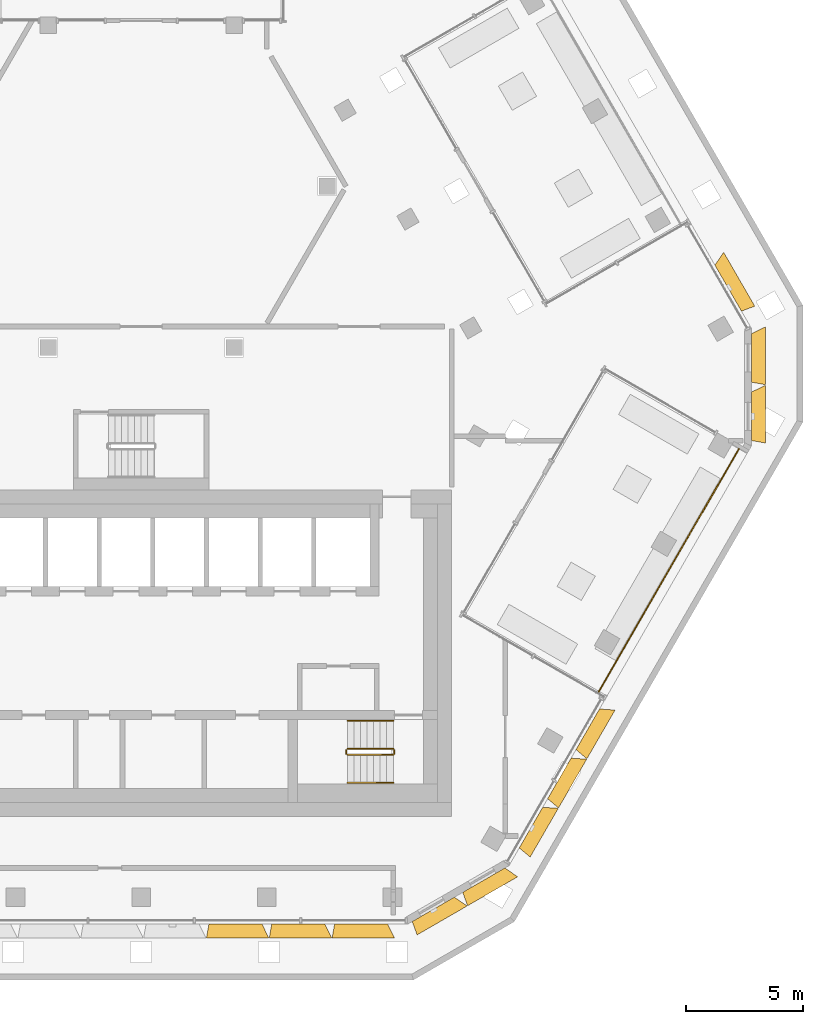
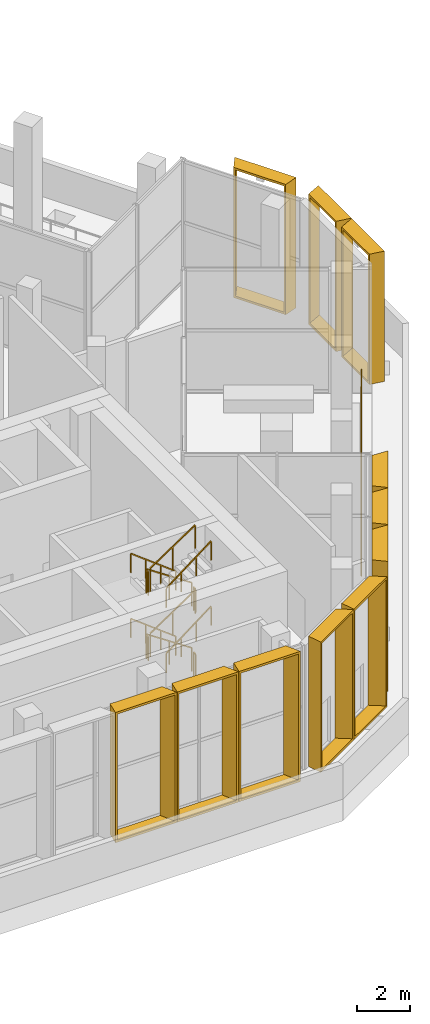
# One storey, part 21 of 23: 13 railings, 11 shading devices.
"""IFC4 building model written with IfcOpenShell, lengths in metres."""

from ifc_helpers import new_model, entity, si_unit, direction, frame, origin, origin_2d, place, context, subcontext, project, spatial, rectangle, extrude, source, transform, mapped, material, type_object, type_shapes, element, save


model = new_model("IFC4")

# Units and contexts
model_context = context("Model", 3, precision=1e-05, world=origin(), true_north=direction((0.0, 1.0)))
body_context = subcontext(model_context, "Body", "Model", "MODEL_VIEW")
ifc_project = project(units=[si_unit("LENGTHUNIT", "METRE"), si_unit("AREAUNIT", "SQUARE_METRE"), si_unit("VOLUMEUNIT", "CUBIC_METRE"), si_unit("PLANEANGLEUNIT", "RADIAN"), si_unit("MASSUNIT", "GRAM", prefix="KILO")], contexts=[model_context])

# Site, building, storey
site_placement = place(None, origin())
site = spatial("IfcSite", under=ifc_project, at=site_placement, CompositionType="ELEMENT")
building_placement = place(site_placement, origin())
building = spatial("IfcBuilding", under=site, at=building_placement, Name="Beryl Residences", CompositionType="ELEMENT")
storey_placement = place(building_placement, frame((0.0, 0.0, 157.199951171875)))
storey = spatial("IfcBuildingStorey", under=building, at=storey_placement, Name="L48", CompositionType="ELEMENT", Elevation=157.199951171875)

# Shading devices
ifc_material_1 = material(Name="Aluminium pale anodised", Category="aluminium")
shading_device_type_1 = type_object("IfcShadingDeviceType", Name="FR243-60C-H60 OUTER SKIN frame 600 mm deep, splay 10/26 deg, 2430 x 6000 mm cell", PredefinedType="USERDEFINED", material=ifc_material_1)
cartesian_point_1 = entity("IfcCartesianPoint", [-1.005615234375, 0.0])
cartesian_point_2 = entity("IfcCartesianPoint", [-0.92431640625, 0.10009765625])
cartesian_point_3 = entity("IfcCartesianPoint", [-1.111328125, 0.0])
cartesian_point_4 = entity("IfcCartesianPoint", [-1.030029296875, 0.10009765625])
shared_shape_1 = source(origin(), body_context, "Body", "SweptSolid", [
    entity("IfcExtrudedAreaSolidTapered", entity("IfcArbitraryProfileDefWithVoids", "AREA", None, entity("IfcPolyline", [cartesian_point_1, entity("IfcCartesianPoint", [1.005615234375, 0.0]), entity("IfcCartesianPoint", [1.005615234375, 6.0]), entity("IfcCartesianPoint", [-1.005615234375, 6.0]), cartesian_point_1]), [entity("IfcPolyline", [cartesian_point_2, entity("IfcCartesianPoint", [0.91650390625, 0.10009765625]), entity("IfcCartesianPoint", [0.91650390625, 5.89990234375]), entity("IfcCartesianPoint", [-0.92431640625, 5.89990234375]), cartesian_point_2])]), entity("IfcAxis2Placement3D", entity("IfcCartesianPoint", [0.0, 0.0, 0.0]), entity("IfcDirection", [0.0, 1.0, 0.0]), entity("IfcDirection", [-1.0, 0.0, 0.0])), entity("IfcDirection", [0.0, 0.0, 1.0]), 0.60009765625, entity("IfcArbitraryProfileDefWithVoids", "AREA", None, entity("IfcPolyline", [cartesian_point_3, entity("IfcCartesianPoint", [1.298095703125, 0.0]), entity("IfcCartesianPoint", [1.298095703125, 6.0]), entity("IfcCartesianPoint", [-1.111328125, 6.0]), cartesian_point_3]), [entity("IfcPolyline", [cartesian_point_4, entity("IfcCartesianPoint", [1.209228515625, 0.10009765625]), entity("IfcCartesianPoint", [1.209228515625, 5.89990234375]), entity("IfcCartesianPoint", [-1.030029296875, 5.89990234375]), cartesian_point_4])])),
])
type_shapes(shading_device_type_1, [shared_shape_1])
for number, where, z_axis, x_axis, name in (
    (1, (16.700927734375, -19.471923828125, 0.0), (0.0, 0.0, 1.0), (-0.5, -0.866025403784, 0.0), "FR243-60C-H60 frame L48 SE 1"),
    (2, (17.9169921875, -17.365966796875, 0.0), (0.0, 0.0, 1.0), (-0.5, -0.866025403784, 0.0), "FR243-60C-H60 frame L48 SE 2"),
    (3, (19.133056640625, -15.260009765625, 0.0), (0.0, 0.0, 1.0), (-0.5, -0.866025403784, 0.0), "FR243-60C-H60 frame L48 SE 3"),
):
    element("IfcShadingDevice", number, at=place(storey_placement, frame(where, z_axis=z_axis, x_axis=x_axis)), inside=storey, type_object=shading_device_type_1, Name=name, ObjectType="OUTER SKIN", PredefinedType="USERDEFINED", context=body_context, shape_type="MappedRepresentation", body=[
        mapped(shared_shape_1, transform((0.0, 0.0, 0.0))),
    ])
ifc_material_2 = material(Name="Aluminium pale anodised", Category="aluminium")
shading_device_type_2 = type_object("IfcShadingDeviceType", Name="FR250-60C-H60 OUTER SKIN frame 600 mm deep, splay 10/26 deg, 2500 x 6000 mm cell", PredefinedType="USERDEFINED", material=ifc_material_2)
cartesian_point_5 = entity("IfcCartesianPoint", [-1.04052734375, 0.0])
cartesian_point_6 = entity("IfcCartesianPoint", [-0.959228515625, 0.10009765625])
cartesian_point_7 = entity("IfcCartesianPoint", [-1.146240234375, 0.0])
cartesian_point_8 = entity("IfcCartesianPoint", [-1.06494140625, 0.10009765625])
shared_shape_2 = source(origin(), body_context, "Body", "SweptSolid", [
    entity("IfcExtrudedAreaSolidTapered", entity("IfcArbitraryProfileDefWithVoids", "AREA", None, entity("IfcPolyline", [cartesian_point_5, entity("IfcCartesianPoint", [1.04052734375, 0.0]), entity("IfcCartesianPoint", [1.04052734375, 6.0]), entity("IfcCartesianPoint", [-1.04052734375, 6.0]), cartesian_point_5]), [entity("IfcPolyline", [cartesian_point_6, entity("IfcCartesianPoint", [0.951416015625, 0.10009765625]), entity("IfcCartesianPoint", [0.951416015625, 5.89990234375]), entity("IfcCartesianPoint", [-0.959228515625, 5.89990234375]), cartesian_point_6])]), entity("IfcAxis2Placement3D", entity("IfcCartesianPoint", [0.0, 0.0, 0.0]), entity("IfcDirection", [0.0, 1.0, 0.0]), entity("IfcDirection", [-1.0, 0.0, 0.0])), entity("IfcDirection", [0.0, 0.0, 1.0]), 0.60009765625, entity("IfcArbitraryProfileDefWithVoids", "AREA", None, entity("IfcPolyline", [cartesian_point_7, entity("IfcCartesianPoint", [1.333251953125, 0.0]), entity("IfcCartesianPoint", [1.333251953125, 6.0]), entity("IfcCartesianPoint", [-1.146240234375, 6.0]), cartesian_point_7]), [entity("IfcPolyline", [cartesian_point_8, entity("IfcCartesianPoint", [1.244140625, 0.10009765625]), entity("IfcCartesianPoint", [1.244140625, 5.89990234375]), entity("IfcCartesianPoint", [-1.06494140625, 5.89990234375]), cartesian_point_8])])),
])
type_shapes(shading_device_type_2, [shared_shape_2])
for number, where, z_axis, x_axis, name in (
    (4, (12.513916015625, -22.97509765625, 0.0), (0.0, 0.0, 1.0), (-0.866025403784, -0.5, 0.0), "FR250-60C-H60 frame L48 S-SE 1"),
    (5, (14.677978515625, -21.72509765625, 0.0), (0.0, 0.0, 1.0), (-0.866025403784, -0.5, 0.0), "FR250-60C-H60 frame L48 S-SE 2"),
    (6, (26.154052734375, -1.85009765625, 0.0), (0.0, 0.0, 1.0), (0.0, -1.0, 0.0), "FR250-60C-H60 frame L48 SE-NE 1"),
    (7, (26.154052734375, 0.64990234375, 0.0), (0.0, 0.0, 1.0), (0.0, -1.0, 0.0), "FR250-60C-H60 frame L48 SE-NE 2"),
):
    element("IfcShadingDevice", number, at=place(storey_placement, frame(where, z_axis=z_axis, x_axis=x_axis)), inside=storey, type_object=shading_device_type_2, Name=name, ObjectType="OUTER SKIN", PredefinedType="USERDEFINED", context=body_context, shape_type="MappedRepresentation", body=[
        mapped(shared_shape_2, transform((0.0, 0.0, 0.0))),
    ])
ifc_material_3 = material(Name="Aluminium pale anodised", Category="aluminium")
shading_device_type_3 = type_object("IfcShadingDeviceType", Name="FR269-60C-H60 OUTER SKIN frame 600 mm deep, splay 10/26 deg, 2690 x 6000 mm cell", PredefinedType="USERDEFINED", material=ifc_material_3)
cartesian_point_9 = entity("IfcCartesianPoint", [-1.135498046875, 0.0])
cartesian_point_10 = entity("IfcCartesianPoint", [-1.05419921875, 0.10009765625])
cartesian_point_11 = entity("IfcCartesianPoint", [-1.2412109375, 0.0])
cartesian_point_12 = entity("IfcCartesianPoint", [-1.16015625, 0.10009765625])
shared_shape_3 = source(origin(), body_context, "Body", "SweptSolid", [
    entity("IfcExtrudedAreaSolidTapered", entity("IfcArbitraryProfileDefWithVoids", "AREA", None, entity("IfcPolyline", [cartesian_point_9, entity("IfcCartesianPoint", [1.135498046875, 0.0]), entity("IfcCartesianPoint", [1.135498046875, 6.0]), entity("IfcCartesianPoint", [-1.135498046875, 6.0]), cartesian_point_9]), [entity("IfcPolyline", [cartesian_point_10, entity("IfcCartesianPoint", [1.04638671875, 0.10009765625]), entity("IfcCartesianPoint", [1.04638671875, 5.89990234375]), entity("IfcCartesianPoint", [-1.05419921875, 5.89990234375]), cartesian_point_10])]), entity("IfcAxis2Placement3D", entity("IfcCartesianPoint", [0.0, 0.0, 0.0]), entity("IfcDirection", [0.0, 1.0, 0.0]), entity("IfcDirection", [-1.0, 0.0, 0.0])), entity("IfcDirection", [0.0, 0.0, 1.0]), 0.60009765625, entity("IfcArbitraryProfileDefWithVoids", "AREA", None, entity("IfcPolyline", [cartesian_point_11, entity("IfcCartesianPoint", [1.42822265625, 0.0]), entity("IfcCartesianPoint", [1.42822265625, 6.0]), entity("IfcCartesianPoint", [-1.2412109375, 6.0]), cartesian_point_11]), [entity("IfcPolyline", [cartesian_point_12, entity("IfcCartesianPoint", [1.339111328125, 0.10009765625]), entity("IfcCartesianPoint", [1.339111328125, 5.89990234375]), entity("IfcCartesianPoint", [-1.16015625, 5.89990234375]), cartesian_point_12])])),
])
type_shapes(shading_device_type_3, [shared_shape_3])
for number, where, z_axis, x_axis, name in (
    (8, (4.0390625, -23.60009765625, 0.0), (0.0, 0.0, 1.0), (-1.0, 0.0, 0.0), "FR269-60C-H60 frame L48 S 6"),
    (9, (6.73095703125, -23.60009765625, 0.0), (0.0, 0.0, 1.0), (-1.0, 0.0, 0.0), "FR269-60C-H60 frame L48 S 7"),
    (10, (9.423095703125, -23.60009765625, 0.0), (0.0, 0.0, 1.0), (-1.0, 0.0, 0.0), "FR269-60C-H60 frame L48 S 8"),
    (11, (25.14892578125, 3.639892578125, 0.0), (0.0, 0.0, 1.0), (0.5, -0.866025403784, 0.0), "FR269-60C-H60 frame L48 NE 1"),
):
    element("IfcShadingDevice", number, at=place(storey_placement, frame(where, z_axis=z_axis, x_axis=x_axis)), inside=storey, type_object=shading_device_type_3, Name=name, ObjectType="OUTER SKIN", PredefinedType="USERDEFINED", context=body_context, shape_type="MappedRepresentation", body=[
        mapped(shared_shape_3, transform((0.0, 0.0, 0.0))),
    ])

# Railings
ifc_material_4 = material(Name="Stainless steel balustrade with glass infill", Category="steel")
railing_type_1 = type_object("IfcRailingType", Name="SG1 stair guard 1100 mm", PredefinedType="GUARDRAIL", material=ifc_material_4)
railing_1_placement = place(storey_placement, frame((10.800048828125, -16.10009765625, 0.1875)))
element("IfcRailing", 12, at=railing_1_placement, inside=storey, type_object=railing_type_1, Name="L48 ST-3 stair guard 1", PredefinedType="GUARDRAIL", context=body_context, shape_type="SweptSolid", body=[
    extrude(rectangle(XDim=0.048095703125, YDim=0.048095703125, at=origin_2d()), frame((0.0, 0.0, 1.076171875), z_axis=(-0.830902050051, 0.0, 0.556418712142), x_axis=(0.0, -1.0, 0.0)), (0.0, 0.0, 1.0), 2.35888671875),
    extrude(rectangle(XDim=0.0419921875, YDim=0.0419921875, at=origin_2d()), origin(), (0.0, 0.0, 1.0), 1.052001953125),
    extrude(rectangle(XDim=0.0419921875, YDim=0.0419921875, at=origin_2d()), frame((-0.97998046875, 0.0, 0.65625)), (0.0, 0.0, 1.0), 1.052001953125),
    extrude(rectangle(XDim=0.0419921875, YDim=0.0419921875, at=origin_2d()), frame((-1.9599609375, 0.0, 1.3125)), (0.0, 0.0, 1.0), 1.052001953125),
])
railing_2_placement = place(storey_placement, frame((8.7900390625, -16.14990234375, 1.5)))
element("IfcRailing", 13, at=railing_2_placement, inside=storey, type_object=railing_type_1, Name="L48 ST-3 stair guard 2", PredefinedType="GUARDRAIL", context=body_context, shape_type="SweptSolid", body=[
    extrude(rectangle(XDim=0.048095703125, YDim=0.048095703125, at=origin_2d()), frame((0.0, 0.0, 1.076171875), z_axis=(0.0, -1.0, 0.0), x_axis=(1.0, 0.0, 0.0)), (0.0, 0.0, 1.0), 0.150146484375),
    extrude(rectangle(XDim=0.0419921875, YDim=0.0419921875, at=origin_2d()), origin(), (0.0, 0.0, 1.0), 1.052001953125),
    extrude(rectangle(XDim=0.0419921875, YDim=0.0419921875, at=origin_2d()), frame((0.0, -0.150146484375, 0.0)), (0.0, 0.0, 1.0), 1.052001953125),
])
railing_3_placement = place(storey_placement, frame((8.840087890625, -16.35009765625, 1.6875)))
element("IfcRailing", 14, at=railing_3_placement, inside=storey, type_object=railing_type_1, Name="L48 ST-3 stair guard 3", PredefinedType="GUARDRAIL", context=body_context, shape_type="SweptSolid", body=[
    extrude(rectangle(XDim=0.048095703125, YDim=0.048095703125, at=origin_2d()), frame((0.0, 0.0, 1.076171875), z_axis=(0.830902050051, 0.0, 0.556418712142), x_axis=(0.0, 1.0, 0.0)), (0.0, 0.0, 1.0), 2.35888671875),
    extrude(rectangle(XDim=0.0419921875, YDim=0.0419921875, at=origin_2d()), origin(), (0.0, 0.0, 1.0), 1.052001953125),
    extrude(rectangle(XDim=0.0419921875, YDim=0.0419921875, at=origin_2d()), frame((0.97998046875, 0.0, 0.65625)), (0.0, 0.0, 1.0), 1.052001953125),
    extrude(rectangle(XDim=0.0419921875, YDim=0.0419921875, at=origin_2d()), frame((1.9599609375, 0.0, 1.3125)), (0.0, 0.0, 1.0), 1.052001953125),
])
railing_4_placement = place(storey_placement, frame((10.85009765625, -16.14990234375, 3.0)))
element("IfcRailing", 15, at=railing_4_placement, inside=storey, type_object=railing_type_1, Name="L48 ST-3 stair guard 4", PredefinedType="GUARDRAIL", context=body_context, shape_type="SweptSolid", body=[
    extrude(rectangle(XDim=0.048095703125, YDim=0.048095703125, at=origin_2d()), frame((0.0, 0.0, 1.076171875), z_axis=(0.0, -1.0, 0.0), x_axis=(1.0, 0.0, 0.0)), (0.0, 0.0, 1.0), 0.150146484375),
    extrude(rectangle(XDim=0.0419921875, YDim=0.0419921875, at=origin_2d()), origin(), (0.0, 0.0, 1.0), 1.052001953125),
    extrude(rectangle(XDim=0.0419921875, YDim=0.0419921875, at=origin_2d()), frame((0.0, -0.150146484375, 0.0)), (0.0, 0.0, 1.0), 1.052001953125),
])
railing_5_placement = place(storey_placement, frame((10.800048828125, -16.10009765625, 3.1875)))
element("IfcRailing", 16, at=railing_5_placement, inside=storey, type_object=railing_type_1, Name="L48 ST-3 stair guard 5", PredefinedType="GUARDRAIL", context=body_context, shape_type="SweptSolid", body=[
    extrude(rectangle(XDim=0.048095703125, YDim=0.048095703125, at=origin_2d()), frame((0.0, 0.0, 1.076171875), z_axis=(-0.830902050051, 0.0, 0.556418712142), x_axis=(0.0, -1.0, 0.0)), (0.0, 0.0, 1.0), 2.35888671875),
    extrude(rectangle(XDim=0.0419921875, YDim=0.0419921875, at=origin_2d()), origin(), (0.0, 0.0, 1.0), 1.052001953125),
    extrude(rectangle(XDim=0.0419921875, YDim=0.0419921875, at=origin_2d()), frame((-0.97998046875, 0.0, 0.65625)), (0.0, 0.0, 1.0), 1.052001953125),
    extrude(rectangle(XDim=0.0419921875, YDim=0.0419921875, at=origin_2d()), frame((-1.9599609375, 0.0, 1.3125)), (0.0, 0.0, 1.0), 1.052001953125),
])
railing_6_placement = place(storey_placement, frame((8.7900390625, -16.14990234375, 4.5)))
element("IfcRailing", 17, at=railing_6_placement, inside=storey, type_object=railing_type_1, Name="L48 ST-3 stair guard 6", PredefinedType="GUARDRAIL", context=body_context, shape_type="SweptSolid", body=[
    extrude(rectangle(XDim=0.048095703125, YDim=0.048095703125, at=origin_2d()), frame((0.0, 0.0, 1.076171875), z_axis=(0.0, -1.0, 0.0), x_axis=(1.0, 0.0, 0.0)), (0.0, 0.0, 1.0), 0.150146484375),
    extrude(rectangle(XDim=0.0419921875, YDim=0.0419921875, at=origin_2d()), origin(), (0.0, 0.0, 1.0), 1.052001953125),
    extrude(rectangle(XDim=0.0419921875, YDim=0.0419921875, at=origin_2d()), frame((0.0, -0.150146484375, 0.0)), (0.0, 0.0, 1.0), 1.052001953125),
])
railing_7_placement = place(storey_placement, frame((8.840087890625, -16.35009765625, 4.6875)))
element("IfcRailing", 18, at=railing_7_placement, inside=storey, type_object=railing_type_1, Name="L48 ST-3 stair guard 7", PredefinedType="GUARDRAIL", context=body_context, shape_type="SweptSolid", body=[
    extrude(rectangle(XDim=0.048095703125, YDim=0.048095703125, at=origin_2d()), frame((0.0, 0.0, 1.076171875), z_axis=(0.830902050051, 0.0, 0.556418712142), x_axis=(0.0, 1.0, 0.0)), (0.0, 0.0, 1.0), 2.35888671875),
    extrude(rectangle(XDim=0.0419921875, YDim=0.0419921875, at=origin_2d()), origin(), (0.0, 0.0, 1.0), 1.052001953125),
    extrude(rectangle(XDim=0.0419921875, YDim=0.0419921875, at=origin_2d()), frame((0.97998046875, 0.0, 0.65625)), (0.0, 0.0, 1.0), 1.052001953125),
    extrude(rectangle(XDim=0.0419921875, YDim=0.0419921875, at=origin_2d()), frame((1.9599609375, 0.0, 1.3125)), (0.0, 0.0, 1.0), 1.052001953125),
])
railing_8_placement = place(storey_placement, frame((10.85009765625, -16.14990234375, 0.0)))
element("IfcRailing", 19, at=railing_8_placement, inside=storey, type_object=railing_type_1, Name="L48 ST-3 stair guard 8", PredefinedType="GUARDRAIL", context=body_context, shape_type="SweptSolid", body=[
    extrude(rectangle(XDim=0.048095703125, YDim=0.048095703125, at=origin_2d()), frame((0.0, 0.0, 1.076171875), z_axis=(0.0, -1.0, 0.0), x_axis=(1.0, 0.0, 0.0)), (0.0, 0.0, 1.0), 0.150146484375),
    extrude(rectangle(XDim=0.0419921875, YDim=0.0419921875, at=origin_2d()), origin(), (0.0, 0.0, 1.0), 1.052001953125),
    extrude(rectangle(XDim=0.0419921875, YDim=0.0419921875, at=origin_2d()), frame((0.0, -0.150146484375, 0.0)), (0.0, 0.0, 1.0), 1.052001953125),
])
ifc_material_5 = material(Name="Stainless steel handrail", Category="steel")
railing_type_2 = type_object("IfcRailingType", Name="SRL1 stair handrail 900 mm", PredefinedType="HANDRAIL", material=ifc_material_5)
railing_9_placement = place(storey_placement, frame((10.800048828125, -14.89990234375, 0.1875)))
element("IfcRailing", 20, at=railing_9_placement, inside=storey, type_object=railing_type_2, Name="L48 ST-3 stair handrail 1", PredefinedType="HANDRAIL", context=body_context, shape_type="SweptSolid", body=[
    extrude(rectangle(XDim=0.048095703125, YDim=0.048095703125, at=origin_2d()), frame((0.0, 0.0, 0.8759765625), z_axis=(-0.794121922505, 0.0, 0.607758481798), x_axis=(0.0, -1.0, 0.0)), (0.0, 0.0, 1.0), 2.468017578125),
    extrude(rectangle(XDim=0.0419921875, YDim=0.0419921875, at=origin_2d()), origin(), (0.0, 0.0, 1.0), 0.851806640625),
    extrude(rectangle(XDim=0.0419921875, YDim=0.0419921875, at=origin_2d()), frame((-0.6533203125, 0.0, 0.5)), (0.0, 0.0, 1.0), 0.851806640625),
    extrude(rectangle(XDim=0.0419921875, YDim=0.0419921875, at=origin_2d()), frame((-1.306640625, 0.0, 1.0)), (0.0, 0.0, 1.0), 0.851806640625),
    extrude(rectangle(XDim=0.0419921875, YDim=0.0419921875, at=origin_2d()), frame((-1.9599609375, 0.0, 1.5)), (0.0, 0.0, 1.0), 0.851806640625),
])
railing_10_placement = place(storey_placement, frame((8.840087890625, -17.550048828125, 1.6875)))
element("IfcRailing", 21, at=railing_10_placement, inside=storey, type_object=railing_type_2, Name="L48 ST-3 stair handrail 2", PredefinedType="HANDRAIL", context=body_context, shape_type="SweptSolid", body=[
    extrude(rectangle(XDim=0.048095703125, YDim=0.048095703125, at=origin_2d()), frame((0.0, 0.0, 0.8759765625), z_axis=(0.794121922505, 0.0, 0.607758481798), x_axis=(0.0, 1.0, 0.0)), (0.0, 0.0, 1.0), 2.468017578125),
    extrude(rectangle(XDim=0.0419921875, YDim=0.0419921875, at=origin_2d()), origin(), (0.0, 0.0, 1.0), 0.851806640625),
    extrude(rectangle(XDim=0.0419921875, YDim=0.0419921875, at=origin_2d()), frame((0.6533203125, 0.0, 0.5)), (0.0, 0.0, 1.0), 0.851806640625),
    extrude(rectangle(XDim=0.0419921875, YDim=0.0419921875, at=origin_2d()), frame((1.306640625, 0.0, 1.0)), (0.0, 0.0, 1.0), 0.851806640625),
    extrude(rectangle(XDim=0.0419921875, YDim=0.0419921875, at=origin_2d()), frame((1.9599609375, 0.0, 1.5)), (0.0, 0.0, 1.0), 0.851806640625),
])
railing_11_placement = place(storey_placement, frame((10.800048828125, -14.89990234375, 3.1875)))
element("IfcRailing", 22, at=railing_11_placement, inside=storey, type_object=railing_type_2, Name="L48 ST-3 stair handrail 3", PredefinedType="HANDRAIL", context=body_context, shape_type="SweptSolid", body=[
    extrude(rectangle(XDim=0.048095703125, YDim=0.048095703125, at=origin_2d()), frame((0.0, 0.0, 0.8759765625), z_axis=(-0.794121922505, 0.0, 0.607758481798), x_axis=(0.0, -1.0, 0.0)), (0.0, 0.0, 1.0), 2.468017578125),
    extrude(rectangle(XDim=0.0419921875, YDim=0.0419921875, at=origin_2d()), origin(), (0.0, 0.0, 1.0), 0.851806640625),
    extrude(rectangle(XDim=0.0419921875, YDim=0.0419921875, at=origin_2d()), frame((-0.6533203125, 0.0, 0.5)), (0.0, 0.0, 1.0), 0.851806640625),
    extrude(rectangle(XDim=0.0419921875, YDim=0.0419921875, at=origin_2d()), frame((-1.306640625, 0.0, 1.0)), (0.0, 0.0, 1.0), 0.851806640625),
    extrude(rectangle(XDim=0.0419921875, YDim=0.0419921875, at=origin_2d()), frame((-1.9599609375, 0.0, 1.5)), (0.0, 0.0, 1.0), 0.851806640625),
])
railing_12_placement = place(storey_placement, frame((8.840087890625, -17.550048828125, 4.6875)))
element("IfcRailing", 23, at=railing_12_placement, inside=storey, type_object=railing_type_2, Name="L48 ST-3 stair handrail 4", PredefinedType="HANDRAIL", context=body_context, shape_type="SweptSolid", body=[
    extrude(rectangle(XDim=0.048095703125, YDim=0.048095703125, at=origin_2d()), frame((0.0, 0.0, 0.8759765625), z_axis=(0.794121922505, 0.0, 0.607758481798), x_axis=(0.0, 1.0, 0.0)), (0.0, 0.0, 1.0), 2.468017578125),
    extrude(rectangle(XDim=0.0419921875, YDim=0.0419921875, at=origin_2d()), origin(), (0.0, 0.0, 1.0), 0.851806640625),
    extrude(rectangle(XDim=0.0419921875, YDim=0.0419921875, at=origin_2d()), frame((0.6533203125, 0.0, 0.5)), (0.0, 0.0, 1.0), 0.851806640625),
    extrude(rectangle(XDim=0.0419921875, YDim=0.0419921875, at=origin_2d()), frame((1.306640625, 0.0, 1.0)), (0.0, 0.0, 1.0), 0.851806640625),
    extrude(rectangle(XDim=0.0419921875, YDim=0.0419921875, at=origin_2d()), frame((1.9599609375, 0.0, 1.5)), (0.0, 0.0, 1.0), 0.851806640625),
])
ifc_material_6 = material(Name="Stainless steel and clear glass", Category="steel")
railing_type_3 = type_object("IfcRailingType", Name="XG1 guard 1100 mm", PredefinedType="GUARDRAIL", material=ifc_material_6)
railing_13_placement = place(storey_placement, frame((19.597900390625, -13.654052734375, 0.0)))
element("IfcRailing", 24, at=railing_13_placement, inside=storey, type_object=railing_type_3, Name="XG1 guard L48 SE garden edge", PredefinedType="GUARDRAIL", context=body_context, shape_type="SweptSolid", body=[
    extrude(rectangle(XDim=0.048095703125, YDim=0.048095703125, at=origin_2d()), frame((0.0, 0.0, 1.076171875), z_axis=(0.499954677872, 0.866051568946, 0.0), x_axis=(-0.866051568946, 0.499954677872, 0.0)), (0.0, 0.0, 1.0), 12.04296875),
    extrude(rectangle(XDim=0.0419921875, YDim=0.0419921875, at=origin_2d()), origin(), (0.0, 0.0, 1.0), 1.052001953125),
    extrude(rectangle(XDim=0.0419921875, YDim=0.0419921875, at=origin_2d()), frame((0.54736328125, 0.9482421875, 0.0)), (0.0, 0.0, 1.0), 1.052001953125),
    extrude(rectangle(XDim=0.0419921875, YDim=0.0419921875, at=origin_2d()), frame((1.0947265625, 1.896240234375, 0.0)), (0.0, 0.0, 1.0), 1.052001953125),
    extrude(rectangle(XDim=0.0419921875, YDim=0.0419921875, at=origin_2d()), frame((1.64208984375, 2.844482421875, 0.0)), (0.0, 0.0, 1.0), 1.052001953125),
    extrude(rectangle(XDim=0.0419921875, YDim=0.0419921875, at=origin_2d()), frame((2.189453125, 3.792724609375, 0.0)), (0.0, 0.0, 1.0), 1.052001953125),
    extrude(rectangle(XDim=0.0419921875, YDim=0.0419921875, at=origin_2d()), frame((2.73681640625, 4.740966796875, 0.0)), (0.0, 0.0, 1.0), 1.052001953125),
    extrude(rectangle(XDim=0.0419921875, YDim=0.0419921875, at=origin_2d()), frame((3.2841796875, 5.68896484375, 0.0)), (0.0, 0.0, 1.0), 1.052001953125),
    extrude(rectangle(XDim=0.0419921875, YDim=0.0419921875, at=origin_2d()), frame((3.83154296875, 6.63720703125, 0.0)), (0.0, 0.0, 1.0), 1.052001953125),
    extrude(rectangle(XDim=0.0419921875, YDim=0.0419921875, at=origin_2d()), frame((4.37890625, 7.58544921875, 0.0)), (0.0, 0.0, 1.0), 1.052001953125),
    extrude(rectangle(XDim=0.0419921875, YDim=0.0419921875, at=origin_2d()), frame((4.92626953125, 8.53369140625, 0.0)), (0.0, 0.0, 1.0), 1.052001953125),
    extrude(rectangle(XDim=0.0419921875, YDim=0.0419921875, at=origin_2d()), frame((5.4736328125, 9.481689453125, 0.0)), (0.0, 0.0, 1.0), 1.052001953125),
    extrude(rectangle(XDim=0.0419921875, YDim=0.0419921875, at=origin_2d()), frame((6.02099609375, 10.429931640625, 0.0)), (0.0, 0.0, 1.0), 1.052001953125),
])

save(model, "model.ifc")
